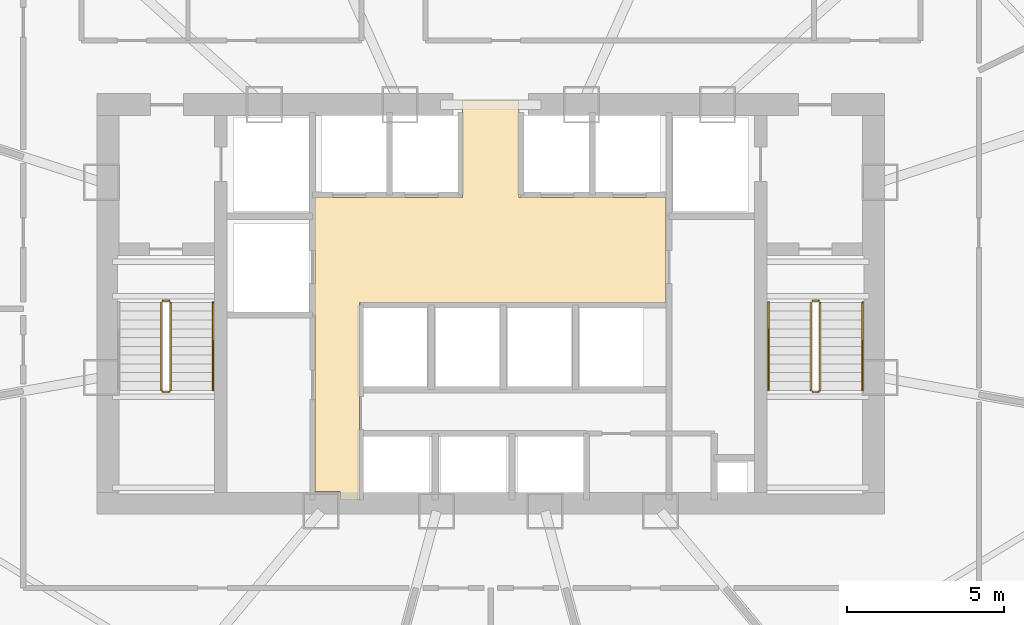
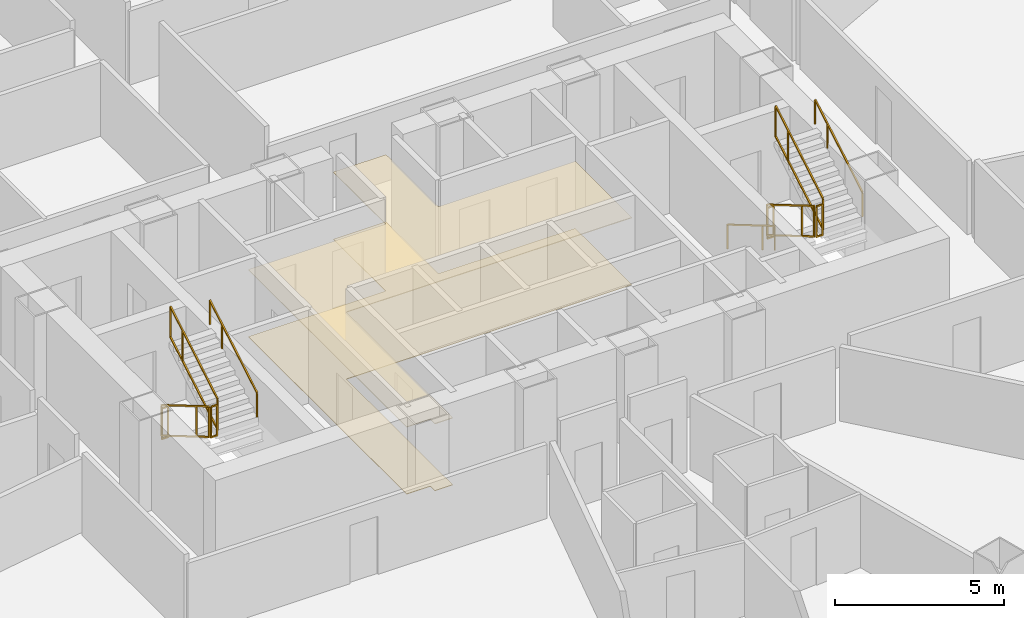
# One storey, part 36 of 38: 11 railings, 2 coverings.
"""IFC4 building model written with IfcOpenShell, lengths in metres."""

from ifc_helpers import new_model, si_unit, direction, frame, origin, origin_2d, place, context, subcontext, project, spatial, polyline, rectangle, outline, extrude, material, layer, layer_set, type_object, element, save


model = new_model("IFC4")

# Units and contexts
model_context = context("Model", 3, precision=1e-05, world=origin(), true_north=direction((0.0, 1.0)))
body_context = subcontext(model_context, "Body", "Model", "MODEL_VIEW")
ifc_project = project(units=[si_unit("LENGTHUNIT", "METRE"), si_unit("AREAUNIT", "SQUARE_METRE"), si_unit("VOLUMEUNIT", "CUBIC_METRE"), si_unit("PLANEANGLEUNIT", "RADIAN"), si_unit("MASSUNIT", "GRAM", prefix="KILO"), si_unit("THERMODYNAMICTEMPERATUREUNIT", "KELVIN"), si_unit("POWERUNIT", "WATT")], contexts=[model_context])

# Site, building, storey
site_placement = place(None, origin())
site = spatial("IfcSite", under=ifc_project, at=site_placement, CompositionType="ELEMENT")
building_placement = place(site_placement, origin())
building = spatial("IfcBuilding", under=site, at=building_placement, Name="Yunzhuo Pagoda Commons", CompositionType="ELEMENT")
storey_placement = place(building_placement, frame((0.0, 0.0, 34.030029296875)))
storey = spatial("IfcBuildingStorey", under=building, at=storey_placement, Name="L08", CompositionType="ELEMENT", Elevation=34.030029296875)

# Coverings
ifc_material_1 = material(Name="Mineral fibre acoustic ceiling board")
ifc_layer_1 = layer(ifc_material_1, 0.02490234375)
ifc_layer_set_1 = layer_set([ifc_layer_1], Name="Mineral fibre acoustic ceiling board")
covering_type_1 = type_object("IfcCoveringType", Name="COV-CL1 Ceiling 25", PredefinedType="CEILING", material=ifc_layer_set_1)
covering_1_placement = place(storey_placement, frame((0.0, 0.0, 2.419921875)))
element("IfcCovering", 1, at=covering_1_placement, inside=storey, type_object=covering_type_1, Name="L08 lift lobby acoustic ceiling", PredefinedType="CEILING", context=body_context, shape_type="SweptSolid", body=[
    extrude(outline(polyline([(43.207763671875, 27.85009765625), (43.201904296875, 27.864013671875), (43.187744140625, 27.8701171875), (42.39990234375, 27.8701171875), (42.39990234375, 33.89990234375), (42.39990234375, 37.25), (47.10009765625, 37.25), (47.10009765625, 40.35009765625), (48.89990234375, 40.35009765625), (48.89990234375, 37.25), (53.580078125, 37.25), (53.580078125, 33.89990234375), (43.820068359375, 33.89990234375), (43.820068359375, 27.60009765625), (43.207763671875, 27.60009765625), (43.207763671875, 27.85009765625)])), origin(), (0.0, 0.0, 1.0), 0.025146484375),
])
ifc_material_2 = material(Name="Porcelain ceramic floor tile")
ifc_layer_2 = layer(ifc_material_2, 0.02001953125)
ifc_layer_set_2 = layer_set([ifc_layer_2], Name="Porcelain ceramic floor tile")
covering_type_2 = type_object("IfcCoveringType", Name="COV-FL1 Flooring 20", PredefinedType="FLOORING", material=ifc_layer_set_2)
covering_2_placement = place(storey_placement, origin())
element("IfcCovering", 2, at=covering_2_placement, inside=storey, type_object=covering_type_2, Name="L08 lift lobby flooring", PredefinedType="FLOORING", context=body_context, shape_type="SweptSolid", body=[
    extrude(outline(polyline([(43.207763671875, 27.85009765625), (43.201904296875, 27.864013671875), (43.187744140625, 27.8701171875), (42.39990234375, 27.8701171875), (42.39990234375, 33.89990234375), (42.39990234375, 37.25), (47.10009765625, 37.25), (47.10009765625, 40.35009765625), (48.89990234375, 40.35009765625), (48.89990234375, 37.25), (53.580078125, 37.25), (53.580078125, 33.89990234375), (43.820068359375, 33.89990234375), (43.820068359375, 27.60009765625), (43.207763671875, 27.60009765625), (43.207763671875, 27.85009765625)])), origin(), (0.0, 0.0, 1.0), 0.02001953125),
])

# Railings
ifc_material_3 = material(Name="Anodized aluminium 6063-T6", Category="aluminium")
railing_type_1 = type_object("IfcRailingType", Name="GR-ST1 Stair Well Guardrail 1150", PredefinedType="GUARDRAIL", material=ifc_material_3)
railing_1_placement = place(storey_placement, frame((37.5, 33.89990234375, 0.1650390625)))
element("IfcRailing", 3, at=railing_1_placement, inside=storey, type_object=railing_type_1, Name="L08 ST1 stair guard 1", PredefinedType="GUARDRAIL", context=body_context, shape_type="SweptSolid", body=[
    extrude(rectangle(XDim=0.048095703125, YDim=0.048095703125, at=origin_2d()), frame((0.0, 0.0, 1.1259765625), z_axis=(0.0, -0.861536114422, 0.507696290658), x_axis=(1.0, 0.0, 0.0)), (0.0, 0.0, 1.0), 3.249755859375),
    extrude(rectangle(XDim=0.048095703125, YDim=0.048095703125, at=origin_2d()), frame((0.0, 0.0, 0.02392578125), z_axis=(0.0, -0.861536114422, 0.507696290658), x_axis=(1.0, 0.0, 0.0)), (0.0, 0.0, 1.0), 3.249755859375),
    extrude(rectangle(XDim=0.0419921875, YDim=0.0419921875, at=origin_2d()), origin(), (0.0, 0.0, 1.0), 1.101806640625),
    extrude(rectangle(XDim=0.0419921875, YDim=0.0419921875, at=origin_2d()), frame((0.0, -2.067626953125, 1.218505859375)), (0.0, 0.0, 1.0), 1.101806640625),
    extrude(rectangle(XDim=0.0419921875, YDim=0.0419921875, at=origin_2d()), frame((0.0, -2.7998046875, 1.64990234375)), (0.0, 0.0, 1.0), 1.101806640625),
])
railing_2_placement = place(storey_placement, frame((37.550048828125, 31.050048828125, 1.81494140625)))
element("IfcRailing", 4, at=railing_2_placement, inside=storey, type_object=railing_type_1, Name="L08 ST1 stair guard 2", PredefinedType="GUARDRAIL", context=body_context, shape_type="SweptSolid", body=[
    extrude(rectangle(XDim=0.048095703125, YDim=0.048095703125, at=origin_2d()), frame((0.0, 0.0, 1.1259765625), z_axis=(1.0, 0.0, 0.0), x_axis=(0.0, 1.0, 0.0)), (0.0, 0.0, 1.0), 0.199951171875),
    extrude(rectangle(XDim=0.048095703125, YDim=0.048095703125, at=origin_2d()), frame((0.0, 0.0, 0.02392578125), z_axis=(1.0, 0.0, 0.0), x_axis=(0.0, 1.0, 0.0)), (0.0, 0.0, 1.0), 0.199951171875),
    extrude(rectangle(XDim=0.0419921875, YDim=0.0419921875, at=origin_2d()), origin(), (0.0, 0.0, 1.0), 1.101806640625),
    extrude(rectangle(XDim=0.0419921875, YDim=0.0419921875, at=origin_2d()), frame((0.199951171875, 0.0, 0.0)), (0.0, 0.0, 1.0), 1.101806640625),
])
railing_3_placement = place(storey_placement, frame((37.800048828125, 31.10009765625, 1.97998046875)))
element("IfcRailing", 5, at=railing_3_placement, inside=storey, type_object=railing_type_1, Name="L08 ST1 stair guard 3", PredefinedType="GUARDRAIL", context=body_context, shape_type="SweptSolid", body=[
    extrude(rectangle(XDim=0.048095703125, YDim=0.048095703125, at=origin_2d()), frame((0.0, 0.0, 1.1259765625), z_axis=(0.0, 0.861536114422, 0.507696290658), x_axis=(-1.0, 0.0, 0.0)), (0.0, 0.0, 1.0), 3.249755859375),
    extrude(rectangle(XDim=0.048095703125, YDim=0.048095703125, at=origin_2d()), frame((0.0, 0.0, 0.02392578125), z_axis=(0.0, 0.861536114422, 0.507696290658), x_axis=(-1.0, 0.0, 0.0)), (0.0, 0.0, 1.0), 3.249755859375),
    extrude(rectangle(XDim=0.0419921875, YDim=0.0419921875, at=origin_2d()), origin(), (0.0, 0.0, 1.0), 1.101806640625),
    extrude(rectangle(XDim=0.0419921875, YDim=0.0419921875, at=origin_2d()), frame((0.0, 2.067626953125, 1.218505859375)), (0.0, 0.0, 1.0), 1.101806640625),
    extrude(rectangle(XDim=0.0419921875, YDim=0.0419921875, at=origin_2d()), frame((0.0, 2.7998046875, 1.64990234375)), (0.0, 0.0, 1.0), 1.101806640625),
])
railing_4_placement = place(storey_placement, frame((37.550048828125, 33.949951171875, 0.0)))
element("IfcRailing", 6, at=railing_4_placement, inside=storey, type_object=railing_type_1, Name="L08 ST1 stair guard 4", PredefinedType="GUARDRAIL", context=body_context, shape_type="SweptSolid", body=[
    extrude(rectangle(XDim=0.048095703125, YDim=0.048095703125, at=origin_2d()), frame((0.0, 0.0, 1.1259765625), z_axis=(1.0, 0.0, 0.0), x_axis=(0.0, 1.0, 0.0)), (0.0, 0.0, 1.0), 0.199951171875),
    extrude(rectangle(XDim=0.048095703125, YDim=0.048095703125, at=origin_2d()), frame((0.0, 0.0, 0.02392578125), z_axis=(1.0, 0.0, 0.0), x_axis=(0.0, 1.0, 0.0)), (0.0, 0.0, 1.0), 0.199951171875),
    extrude(rectangle(XDim=0.0419921875, YDim=0.0419921875, at=origin_2d()), origin(), (0.0, 0.0, 1.0), 1.101806640625),
    extrude(rectangle(XDim=0.0419921875, YDim=0.0419921875, at=origin_2d()), frame((0.199951171875, 0.0, 0.0)), (0.0, 0.0, 1.0), 1.101806640625),
])
railing_type_2 = type_object("IfcRailingType", Name="GR-ST2 Stair Well Guardrail 1160", PredefinedType="GUARDRAIL", material=ifc_material_3)
railing_5_placement = place(storey_placement, frame((58.199951171875, 33.89990234375, 0.1650390625)))
element("IfcRailing", 7, at=railing_5_placement, inside=storey, type_object=railing_type_2, Name="L08 ST2 stair guard 1", PredefinedType="GUARDRAIL", context=body_context, shape_type="SweptSolid", body=[
    extrude(rectangle(XDim=0.048095703125, YDim=0.048095703125, at=origin_2d()), frame((0.0, 0.0, 1.1259765625), z_axis=(0.0, -0.861536114422, 0.507696290658), x_axis=(1.0, 0.0, 0.0)), (0.0, 0.0, 1.0), 3.249755859375),
    extrude(rectangle(XDim=0.048095703125, YDim=0.048095703125, at=origin_2d()), frame((0.0, 0.0, 0.02392578125), z_axis=(0.0, -0.861536114422, 0.507696290658), x_axis=(1.0, 0.0, 0.0)), (0.0, 0.0, 1.0), 3.249755859375),
    extrude(rectangle(XDim=0.0419921875, YDim=0.0419921875, at=origin_2d()), origin(), (0.0, 0.0, 1.0), 1.101806640625),
    extrude(rectangle(XDim=0.0419921875, YDim=0.0419921875, at=origin_2d()), frame((0.0, -2.067626953125, 1.218505859375)), (0.0, 0.0, 1.0), 1.101806640625),
    extrude(rectangle(XDim=0.0419921875, YDim=0.0419921875, at=origin_2d()), frame((0.0, -2.7998046875, 1.64990234375)), (0.0, 0.0, 1.0), 1.101806640625),
])
railing_6_placement = place(storey_placement, frame((58.25, 31.050048828125, 1.81494140625)))
element("IfcRailing", 8, at=railing_6_placement, inside=storey, type_object=railing_type_2, Name="L08 ST2 stair guard 2", PredefinedType="GUARDRAIL", context=body_context, shape_type="SweptSolid", body=[
    extrude(rectangle(XDim=0.048095703125, YDim=0.048095703125, at=origin_2d()), frame((0.0, 0.0, 1.1259765625), z_axis=(1.0, 0.0, 0.0), x_axis=(0.0, 1.0, 0.0)), (0.0, 0.0, 1.0), 0.199951171875),
    extrude(rectangle(XDim=0.048095703125, YDim=0.048095703125, at=origin_2d()), frame((0.0, 0.0, 0.02392578125), z_axis=(1.0, 0.0, 0.0), x_axis=(0.0, 1.0, 0.0)), (0.0, 0.0, 1.0), 0.199951171875),
    extrude(rectangle(XDim=0.0419921875, YDim=0.0419921875, at=origin_2d()), origin(), (0.0, 0.0, 1.0), 1.101806640625),
    extrude(rectangle(XDim=0.0419921875, YDim=0.0419921875, at=origin_2d()), frame((0.199951171875, 0.0, 0.0)), (0.0, 0.0, 1.0), 1.101806640625),
])
railing_7_placement = place(storey_placement, frame((58.5, 31.10009765625, 1.97998046875)))
element("IfcRailing", 9, at=railing_7_placement, inside=storey, type_object=railing_type_2, Name="L08 ST2 stair guard 3", PredefinedType="GUARDRAIL", context=body_context, shape_type="SweptSolid", body=[
    extrude(rectangle(XDim=0.048095703125, YDim=0.048095703125, at=origin_2d()), frame((0.0, 0.0, 1.1259765625), z_axis=(0.0, 0.861536114422, 0.507696290658), x_axis=(-1.0, 0.0, 0.0)), (0.0, 0.0, 1.0), 3.249755859375),
    extrude(rectangle(XDim=0.048095703125, YDim=0.048095703125, at=origin_2d()), frame((0.0, 0.0, 0.02392578125), z_axis=(0.0, 0.861536114422, 0.507696290658), x_axis=(-1.0, 0.0, 0.0)), (0.0, 0.0, 1.0), 3.249755859375),
    extrude(rectangle(XDim=0.0419921875, YDim=0.0419921875, at=origin_2d()), origin(), (0.0, 0.0, 1.0), 1.101806640625),
    extrude(rectangle(XDim=0.0419921875, YDim=0.0419921875, at=origin_2d()), frame((0.0, 2.067626953125, 1.218505859375)), (0.0, 0.0, 1.0), 1.101806640625),
    extrude(rectangle(XDim=0.0419921875, YDim=0.0419921875, at=origin_2d()), frame((0.0, 2.7998046875, 1.64990234375)), (0.0, 0.0, 1.0), 1.101806640625),
])
railing_8_placement = place(storey_placement, frame((58.25, 33.949951171875, 0.0)))
element("IfcRailing", 10, at=railing_8_placement, inside=storey, type_object=railing_type_2, Name="L08 ST2 stair guard 4", PredefinedType="GUARDRAIL", context=body_context, shape_type="SweptSolid", body=[
    extrude(rectangle(XDim=0.048095703125, YDim=0.048095703125, at=origin_2d()), frame((0.0, 0.0, 1.1259765625), z_axis=(1.0, 0.0, 0.0), x_axis=(0.0, 1.0, 0.0)), (0.0, 0.0, 1.0), 0.199951171875),
    extrude(rectangle(XDim=0.048095703125, YDim=0.048095703125, at=origin_2d()), frame((0.0, 0.0, 0.02392578125), z_axis=(1.0, 0.0, 0.0), x_axis=(0.0, 1.0, 0.0)), (0.0, 0.0, 1.0), 0.199951171875),
    extrude(rectangle(XDim=0.0419921875, YDim=0.0419921875, at=origin_2d()), origin(), (0.0, 0.0, 1.0), 1.101806640625),
    extrude(rectangle(XDim=0.0419921875, YDim=0.0419921875, at=origin_2d()), frame((0.199951171875, 0.0, 0.0)), (0.0, 0.0, 1.0), 1.101806640625),
])
railing_type_3 = type_object("IfcRailingType", Name="HR-ST1 Stair Handrail 900", PredefinedType="HANDRAIL", material=ifc_material_3)
railing_9_placement = place(storey_placement, frame((39.14990234375, 31.10009765625, 1.97998046875)))
element("IfcRailing", 11, at=railing_9_placement, inside=storey, type_object=railing_type_3, Name="L08 ST1 stair handrail 2", PredefinedType="HANDRAIL", context=body_context, shape_type="SweptSolid", body=[
    extrude(rectangle(XDim=0.048095703125, YDim=0.048095703125, at=origin_2d()), frame((0.0, 0.0, 0.8759765625), z_axis=(0.0, 0.861536114422, 0.507696290658), x_axis=(-1.0, 0.0, 0.0)), (0.0, 0.0, 1.0), 3.249755859375),
    extrude(rectangle(XDim=0.0419921875, YDim=0.0419921875, at=origin_2d()), origin(), (0.0, 0.0, 1.0), 0.851806640625),
    extrude(rectangle(XDim=0.0419921875, YDim=0.0419921875, at=origin_2d()), frame((0.0, 2.067626953125, 1.218505859375)), (0.0, 0.0, 1.0), 0.851806640625),
    extrude(rectangle(XDim=0.0419921875, YDim=0.0419921875, at=origin_2d()), frame((0.0, 2.7998046875, 1.64990234375)), (0.0, 0.0, 1.0), 0.851806640625),
])
railing_type_4 = type_object("IfcRailingType", Name="HR-ST2 Stair Handrail 900", PredefinedType="HANDRAIL", material=ifc_material_3)
railing_10_placement = place(storey_placement, frame((56.85009765625, 33.89990234375, 0.1650390625)))
element("IfcRailing", 12, at=railing_10_placement, inside=storey, type_object=railing_type_4, Name="L08 ST2 stair handrail 1", PredefinedType="HANDRAIL", context=body_context, shape_type="SweptSolid", body=[
    extrude(rectangle(XDim=0.048095703125, YDim=0.048095703125, at=origin_2d()), frame((0.0, 0.0, 0.8759765625), z_axis=(0.0, -0.861536114422, 0.507696290658), x_axis=(1.0, 0.0, 0.0)), (0.0, 0.0, 1.0), 3.249755859375),
    extrude(rectangle(XDim=0.0419921875, YDim=0.0419921875, at=origin_2d()), origin(), (0.0, 0.0, 1.0), 0.851806640625),
    extrude(rectangle(XDim=0.0419921875, YDim=0.0419921875, at=origin_2d()), frame((0.0, -2.067626953125, 1.218505859375)), (0.0, 0.0, 1.0), 0.851806640625),
    extrude(rectangle(XDim=0.0419921875, YDim=0.0419921875, at=origin_2d()), frame((0.0, -2.7998046875, 1.64990234375)), (0.0, 0.0, 1.0), 0.851806640625),
])
railing_11_placement = place(storey_placement, frame((59.85009765625, 31.10009765625, 1.97998046875)))
element("IfcRailing", 13, at=railing_11_placement, inside=storey, type_object=railing_type_4, Name="L08 ST2 stair handrail 2", PredefinedType="HANDRAIL", context=body_context, shape_type="SweptSolid", body=[
    extrude(rectangle(XDim=0.048095703125, YDim=0.048095703125, at=origin_2d()), frame((0.0, 0.0, 0.8759765625), z_axis=(0.0, 0.861536114422, 0.507696290658), x_axis=(-1.0, 0.0, 0.0)), (0.0, 0.0, 1.0), 3.249755859375),
    extrude(rectangle(XDim=0.0419921875, YDim=0.0419921875, at=origin_2d()), origin(), (0.0, 0.0, 1.0), 0.851806640625),
    extrude(rectangle(XDim=0.0419921875, YDim=0.0419921875, at=origin_2d()), frame((0.0, 2.067626953125, 1.218505859375)), (0.0, 0.0, 1.0), 0.851806640625),
    extrude(rectangle(XDim=0.0419921875, YDim=0.0419921875, at=origin_2d()), frame((0.0, 2.7998046875, 1.64990234375)), (0.0, 0.0, 1.0), 0.851806640625),
])

save(model, "model.ifc")
